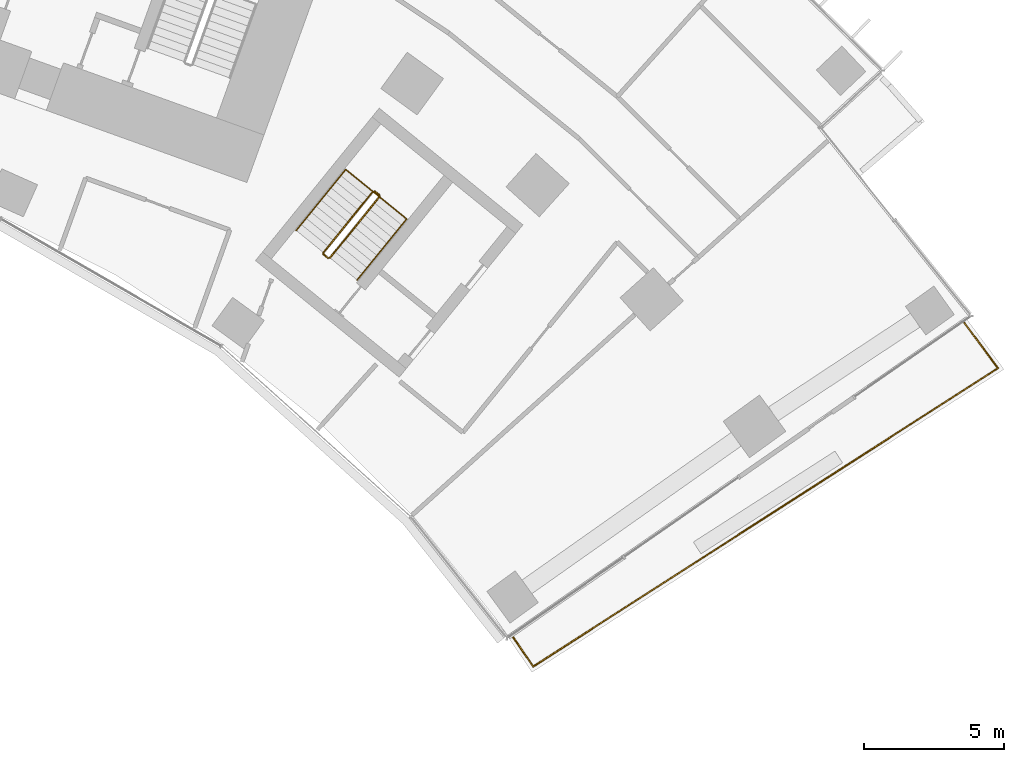
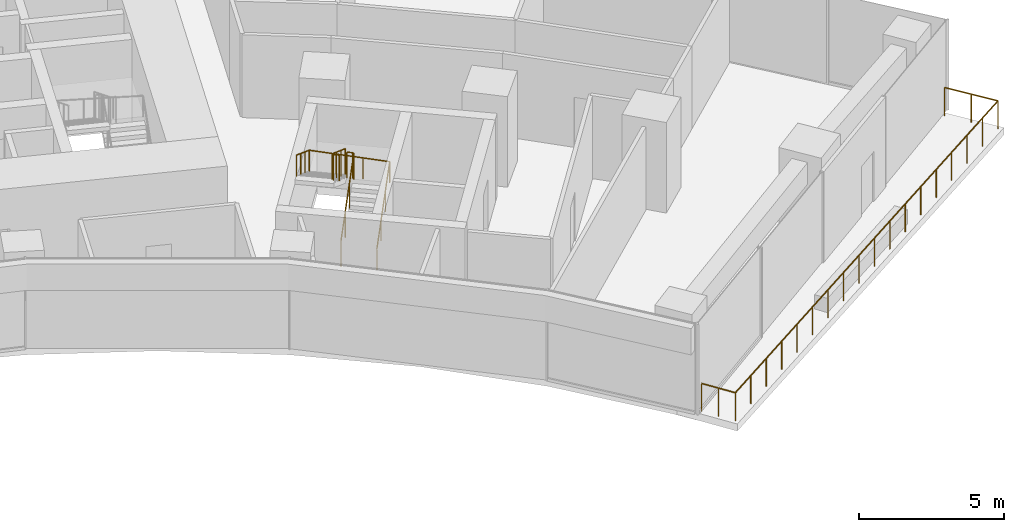
# One storey, part 21 of 21: 4 railings.
"""IFC4 building model written with IfcOpenShell, lengths in metres."""

from ifc_helpers import new_model, si_unit, direction, frame, origin, origin_2d, place, context, subcontext, project, spatial, circle, extrude, material, type_object, element, save


model = new_model("IFC4")

# Units and contexts
model_context = context("Model", 3, precision=1e-05, world=origin(), true_north=direction((0.0, 1.0)))
body_context = subcontext(model_context, "Body", "Model", "MODEL_VIEW")
ifc_project = project(units=[si_unit("LENGTHUNIT", "METRE"), si_unit("AREAUNIT", "SQUARE_METRE"), si_unit("VOLUMEUNIT", "CUBIC_METRE"), si_unit("PLANEANGLEUNIT", "RADIAN"), si_unit("MASSUNIT", "GRAM", prefix="KILO")], contexts=[model_context])

# Site, building, storey
site_placement = place(None, origin())
site = spatial("IfcSite", under=ifc_project, at=site_placement, CompositionType="ELEMENT")
building_placement = place(site_placement, origin())
building = spatial("IfcBuilding", under=site, at=building_placement, Name="Stone Belt Terrace Tower", CompositionType="ELEMENT")
storey_placement = place(building_placement, frame((0.0, 0.0, 56.60009765625)))
storey = spatial("IfcBuildingStorey", under=building, at=storey_placement, Name="L13", CompositionType="ELEMENT", Elevation=56.60009765625)

# Railings
ifc_material_1 = material(Name="Structural steel C345", Category="steel")
railing_type_1 = type_object("IfcRailingType", Name="Stair guard 1100", PredefinedType="GUARDRAIL", material=ifc_material_1)
railing_1_placement = place(storey_placement, frame((29.39794921875, 38.281982421875, 0.172607421875)))
element("IfcRailing", 1, at=railing_1_placement, inside=storey, type_object=railing_type_1, Name="L13 ST3B stair guard 1", PredefinedType="GUARDRAIL", context=body_context, shape_type="SweptSolid", body=[
    extrude(circle(Radius=0.02392578125, at=origin_2d()), frame((0.0, 0.0, 1.076171875), z_axis=(0.536393061503, 0.660769759217, 0.525038864158), x_axis=(-0.776391310223, 0.630251166924, 0.0)), (0.0, 0.0, 1.0), 3.289794921875),
    extrude(circle(Radius=0.02392578125, at=origin_2d()), frame((1.7646484375, 2.173828125, 2.80322265625), z_axis=(-0.103251414163, 0.994655289773, 0.0), x_axis=(-0.994655289773, -0.103251414163, 0.0)), (0.0, 0.0, 1.0), 0.071044921875),
    extrude(circle(Radius=0.02392578125, at=origin_2d()), frame((1.75732421875, 2.244384765625, 2.80322265625), z_axis=(-0.776561986372, 0.630040856868, 0.0), x_axis=(-0.630040856868, -0.776561986372, 0.0)), (0.0, 0.0, 1.0), 0.199951171875),
    extrude(circle(Radius=0.02099609375, at=origin_2d()), origin(), (0.0, 0.0, 1.0), 1.052001953125),
    extrude(circle(Radius=0.02099609375, at=origin_2d()), frame((0.588134765625, 0.724609375, 0.57568359375)), (0.0, 0.0, 1.0), 1.052001953125),
    extrude(circle(Radius=0.02099609375, at=origin_2d()), frame((1.176513671875, 1.44921875, 1.151611328125)), (0.0, 0.0, 1.0), 1.052001953125),
    extrude(circle(Radius=0.02099609375, at=origin_2d()), frame((1.7646484375, 2.173828125, 1.727294921875)), (0.0, 0.0, 1.0), 1.052001953125),
    extrude(circle(Radius=0.02099609375, at=origin_2d()), frame((1.75732421875, 2.244384765625, 1.727294921875)), (0.0, 0.0, 1.0), 1.052001953125),
    extrude(circle(Radius=0.02099609375, at=origin_2d()), frame((1.60205078125, 2.370361328125, 1.727294921875)), (0.0, 0.0, 1.0), 1.052001953125),
])
railing_2_placement = place(storey_placement, frame((30.9296875, 40.64501953125, 2.072509765625)))
element("IfcRailing", 2, at=railing_2_placement, inside=storey, type_object=railing_type_1, Name="L13 ST3B stair guard 2", PredefinedType="GUARDRAIL", context=body_context, shape_type="SweptSolid", body=[
    extrude(circle(Radius=0.02392578125, at=origin_2d()), frame((0.0, 0.0, 1.076171875), z_axis=(-0.536366759382, -0.660811565066, 0.525013118792), x_axis=(0.776425942316, -0.630208502084, 0.0)), (0.0, 0.0, 1.0), 3.2900390625),
    extrude(circle(Radius=0.02392578125, at=origin_2d()), frame((-1.7646484375, -2.174072265625, 2.80322265625), z_axis=(0.103606084259, -0.994618408891, 0.0), x_axis=(0.994618408891, 0.103606084259, 0.0)), (0.0, 0.0, 1.0), 0.07080078125),
    extrude(circle(Radius=0.02392578125, at=origin_2d()), frame((-1.75732421875, -2.244384765625, 2.80322265625), z_axis=(0.776561986372, -0.630040856868, 0.0), x_axis=(0.630040856868, 0.776561986372, 0.0)), (0.0, 0.0, 1.0), 0.199951171875),
    extrude(circle(Radius=0.02099609375, at=origin_2d()), origin(), (0.0, 0.0, 1.0), 1.052001953125),
    extrude(circle(Radius=0.02099609375, at=origin_2d()), frame((-0.588134765625, -0.724609375, 0.57568359375)), (0.0, 0.0, 1.0), 1.052001953125),
    extrude(circle(Radius=0.02099609375, at=origin_2d()), frame((-1.176513671875, -1.449462890625, 1.151611328125)), (0.0, 0.0, 1.0), 1.052001953125),
    extrude(circle(Radius=0.02099609375, at=origin_2d()), frame((-1.7646484375, -2.174072265625, 1.727294921875)), (0.0, 0.0, 1.0), 1.052001953125),
    extrude(circle(Radius=0.02099609375, at=origin_2d()), frame((-1.75732421875, -2.244384765625, 1.727294921875)), (0.0, 0.0, 1.0), 1.052001953125),
    extrude(circle(Radius=0.02099609375, at=origin_2d()), frame((-1.60205078125, -2.370361328125, 1.727294921875)), (0.0, 0.0, 1.0), 1.052001953125),
])
railing_type_2 = type_object("IfcRailingType", Name="Stair handrail 900", PredefinedType="HANDRAIL", material=ifc_material_1)
railing_3_placement = place(storey_placement, frame((30.36865234375, 37.494140625, 0.172607421875)))
element("IfcRailing", 3, at=railing_3_placement, inside=storey, type_object=railing_type_2, Name="L13 ST3B stair handrail 1", PredefinedType="HANDRAIL", context=body_context, shape_type="SweptSolid", body=[
    extrude(circle(Radius=0.02392578125, at=origin_2d()), frame((0.0, 0.0, 0.8759765625), z_axis=(0.536366759382, 0.660811565066, 0.525013118792), x_axis=(-0.776425942316, 0.630208502084, 0.0)), (0.0, 0.0, 1.0), 3.2900390625),
    extrude(circle(Radius=0.02392578125, at=origin_2d()), frame((1.7646484375, 2.174072265625, 2.60302734375), z_axis=(-0.774954966459, 0.629014542119, 0.061526463929), x_axis=(-0.630208502084, -0.776425942316, 0.0)), (0.0, 0.0, 1.0), 2.805419921875),
    extrude(circle(Radius=0.02392578125, at=origin_2d()), frame((-0.409423828125, 3.938720703125, 2.77587890625), z_axis=(-0.536366759382, -0.660811565066, 0.525013118792), x_axis=(0.776425942316, -0.630208502084, 0.0)), (0.0, 0.0, 1.0), 3.2900390625),
    extrude(circle(Radius=0.02099609375, at=origin_2d()), origin(), (0.0, 0.0, 1.0), 0.851806640625),
    extrude(circle(Radius=0.02099609375, at=origin_2d()), frame((0.588134765625, 0.724609375, 0.57568359375)), (0.0, 0.0, 1.0), 0.851806640625),
    extrude(circle(Radius=0.02099609375, at=origin_2d()), frame((1.176513671875, 1.449462890625, 1.151611328125)), (0.0, 0.0, 1.0), 0.851806640625),
    extrude(circle(Radius=0.02099609375, at=origin_2d()), frame((1.7646484375, 2.174072265625, 1.727294921875)), (0.0, 0.0, 1.0), 0.851806640625),
    extrude(circle(Radius=0.02099609375, at=origin_2d()), frame((1.0400390625, 2.76220703125, 1.784912109375)), (0.0, 0.0, 1.0), 0.851806640625),
    extrude(circle(Radius=0.02099609375, at=origin_2d()), frame((0.315185546875, 3.3505859375, 1.84228515625)), (0.0, 0.0, 1.0), 0.851806640625),
    extrude(circle(Radius=0.02099609375, at=origin_2d()), frame((-0.409423828125, 3.938720703125, 1.89990234375)), (0.0, 0.0, 1.0), 0.851806640625),
    extrude(circle(Radius=0.02099609375, at=origin_2d()), frame((-0.99755859375, 3.214111328125, 2.4755859375)), (0.0, 0.0, 1.0), 0.851806640625),
    extrude(circle(Radius=0.02099609375, at=origin_2d()), frame((-1.5859375, 2.4892578125, 3.051513671875)), (0.0, 0.0, 1.0), 0.851806640625),
    extrude(circle(Radius=0.02099609375, at=origin_2d()), frame((-2.174072265625, 1.7646484375, 3.627197265625)), (0.0, 0.0, 1.0), 0.851806640625),
])
ifc_material_2 = material(Name="Stainless steel AISI 304", Category="steel")
railing_type_3 = type_object("IfcRailingType", Name="Terrace guard 1200", PredefinedType="GUARDRAIL", material=ifc_material_2)
railing_4_placement = place(storey_placement, frame((35.91943359375, 24.7705078125, 0.0)))
element("IfcRailing", 4, at=railing_4_placement, inside=storey, type_object=railing_type_3, Name="GUARD L13 1.1", PredefinedType="GUARDRAIL", context=body_context, shape_type="SweptSolid", body=[
    extrude(circle(Radius=0.02490234375, at=origin_2d()), frame((0.0, 0.0, 1.1748046875), z_axis=(0.564207748312, -0.825632858324, 0.0), x_axis=(0.825632858324, 0.564207748312, 0.0)), (0.0, 0.0, 1.0), 1.286865234375),
    extrude(circle(Radius=0.02490234375, at=origin_2d()), frame((0.72607421875, -1.0625, 1.1748046875), z_axis=(0.841470773926, 0.540302634297, 0.0), x_axis=(-0.540302634297, 0.841470773926, 0.0)), (0.0, 0.0, 1.0), 19.69384765625),
    extrude(circle(Radius=0.02490234375, at=origin_2d()), frame((17.2978515625, 9.578125, 1.1748046875), z_axis=(-0.595917899596, 0.803045364186, 0.0), x_axis=(-0.803045364186, -0.595917899596, 0.0)), (0.0, 0.0, 1.0), 2.00390625),
    extrude(circle(Radius=0.02001953125, at=origin_2d()), origin(), (0.0, 0.0, 1.0), 1.14990234375),
    extrude(circle(Radius=0.02001953125, at=origin_2d()), frame((0.363037109375, -0.53125, 0.0)), (0.0, 0.0, 1.0), 1.14990234375),
    extrude(circle(Radius=0.02001953125, at=origin_2d()), frame((0.72607421875, -1.0625, 0.0)), (0.0, 0.0, 1.0), 1.14990234375),
    extrude(circle(Radius=0.02001953125, at=origin_2d()), frame((1.700927734375, -0.4365234375, 0.0)), (0.0, 0.0, 1.0), 1.14990234375),
    extrude(circle(Radius=0.02001953125, at=origin_2d()), frame((2.67578125, 0.189453125, 0.0)), (0.0, 0.0, 1.0), 1.14990234375),
    extrude(circle(Radius=0.02001953125, at=origin_2d()), frame((3.650390625, 0.815185546875, 0.0)), (0.0, 0.0, 1.0), 1.14990234375),
    extrude(circle(Radius=0.02001953125, at=origin_2d()), frame((4.625244140625, 1.441162109375, 0.0)), (0.0, 0.0, 1.0), 1.14990234375),
    extrude(circle(Radius=0.02001953125, at=origin_2d()), frame((5.60009765625, 2.067138671875, 0.0)), (0.0, 0.0, 1.0), 1.14990234375),
    extrude(circle(Radius=0.02001953125, at=origin_2d()), frame((6.574951171875, 2.693115234375, 0.0)), (0.0, 0.0, 1.0), 1.14990234375),
    extrude(circle(Radius=0.02001953125, at=origin_2d()), frame((7.5498046875, 3.31884765625, 0.0)), (0.0, 0.0, 1.0), 1.14990234375),
    extrude(circle(Radius=0.02001953125, at=origin_2d()), frame((8.524658203125, 3.94482421875, 0.0)), (0.0, 0.0, 1.0), 1.14990234375),
    extrude(circle(Radius=0.02001953125, at=origin_2d()), frame((9.499267578125, 4.57080078125, 0.0)), (0.0, 0.0, 1.0), 1.14990234375),
    extrude(circle(Radius=0.02001953125, at=origin_2d()), frame((10.47412109375, 5.19677734375, 0.0)), (0.0, 0.0, 1.0), 1.14990234375),
    extrude(circle(Radius=0.02001953125, at=origin_2d()), frame((11.448974609375, 5.822509765625, 0.0)), (0.0, 0.0, 1.0), 1.14990234375),
    extrude(circle(Radius=0.02001953125, at=origin_2d()), frame((12.423828125, 6.448486328125, 0.0)), (0.0, 0.0, 1.0), 1.14990234375),
    extrude(circle(Radius=0.02001953125, at=origin_2d()), frame((13.398681640625, 7.074462890625, 0.0)), (0.0, 0.0, 1.0), 1.14990234375),
    extrude(circle(Radius=0.02001953125, at=origin_2d()), frame((14.37353515625, 7.700439453125, 0.0)), (0.0, 0.0, 1.0), 1.14990234375),
    extrude(circle(Radius=0.02001953125, at=origin_2d()), frame((15.34814453125, 8.326171875, 0.0)), (0.0, 0.0, 1.0), 1.14990234375),
    extrude(circle(Radius=0.02001953125, at=origin_2d()), frame((16.322998046875, 8.9521484375, 0.0)), (0.0, 0.0, 1.0), 1.14990234375),
    extrude(circle(Radius=0.02001953125, at=origin_2d()), frame((17.2978515625, 9.578125, 0.0)), (0.0, 0.0, 1.0), 1.14990234375),
    extrude(circle(Radius=0.02001953125, at=origin_2d()), frame((16.70068359375, 10.3828125, 0.0)), (0.0, 0.0, 1.0), 1.14990234375),
    extrude(circle(Radius=0.02001953125, at=origin_2d()), frame((16.103759765625, 11.187255859375, 0.0)), (0.0, 0.0, 1.0), 1.14990234375),
])

save(model, "model.ifc")
